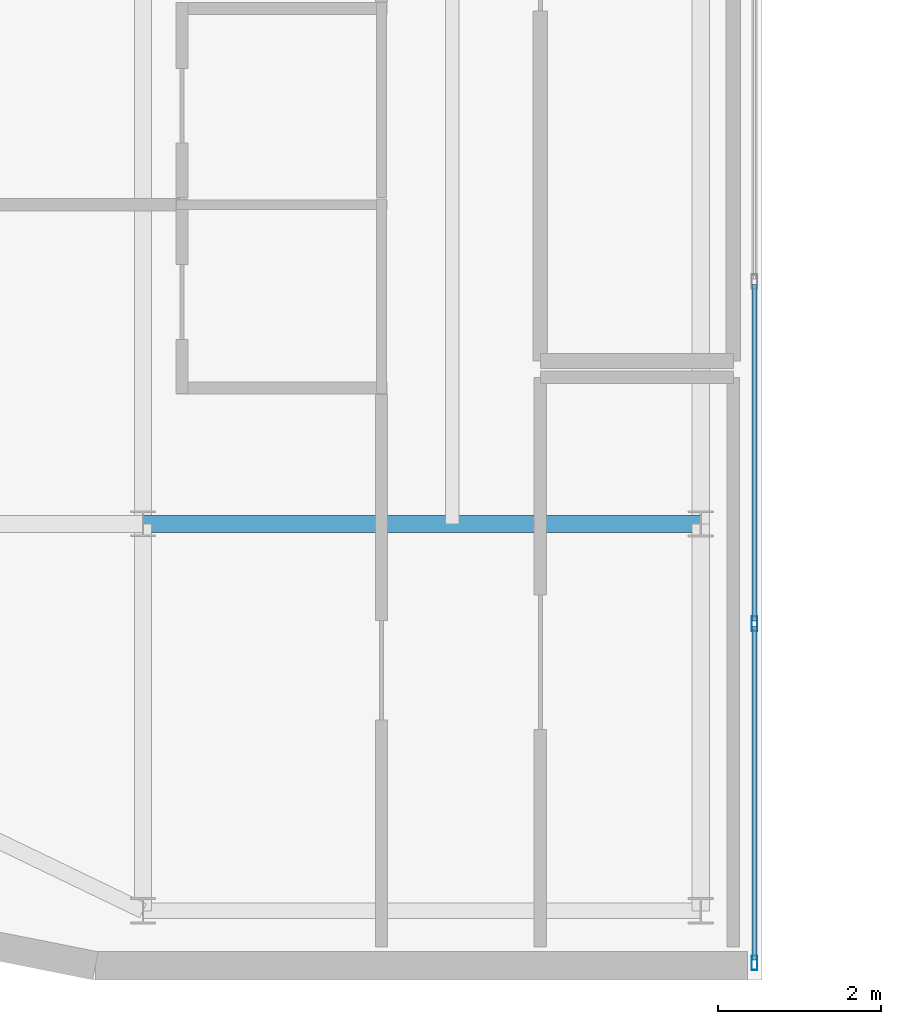
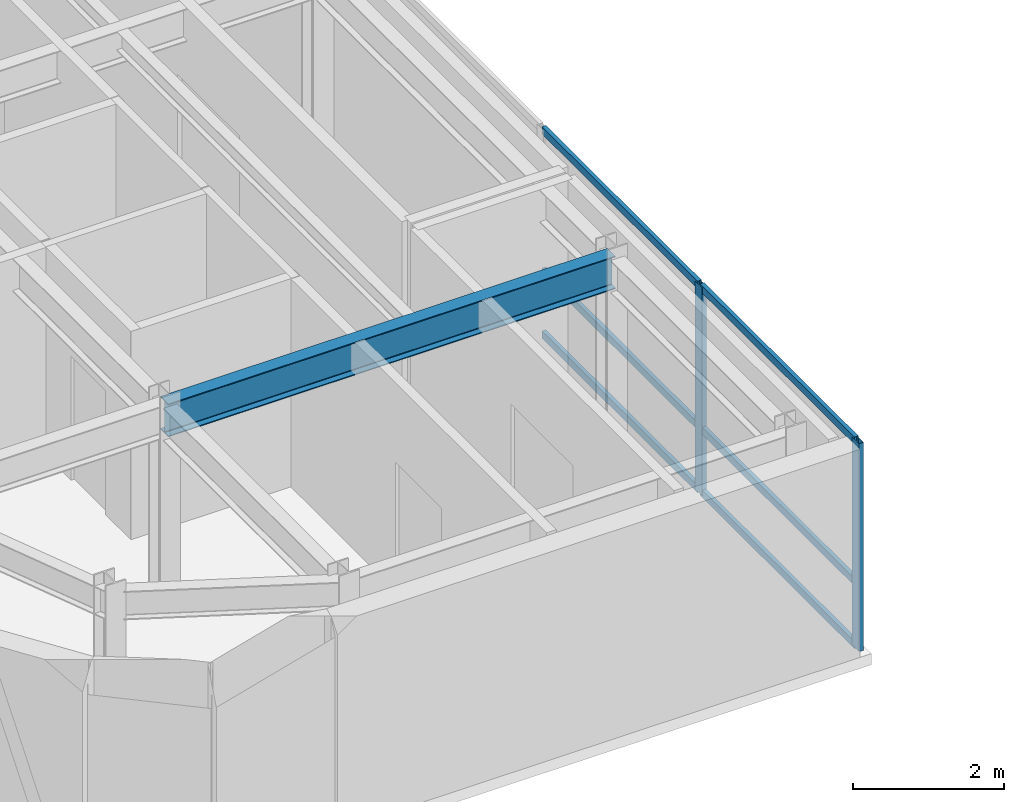
# One storey, part 4 of 18: 8 members, 1 beam, 1 element without a shape of its own.
"""IFC4 building model written with IfcOpenShell, lengths in metres."""

from ifc_helpers import new_model, si_unit, direction, frame, origin, origin_2d, place, context, subcontext, project, spatial, hollow_rectangle, i_section, extrude, source, transform, mapped, material, layer, layer_set, material_profile, profile_set, type_object, type_shapes, element, aggregate, save


model = new_model("IFC4")

# Units and contexts
model_context = context("Model", 3, precision=1e-05, world=origin(), true_north=direction((0.0, 1.0)))
body_context = subcontext(model_context, "Body", "Model", "MODEL_VIEW")
ifc_project = project(units=[si_unit("LENGTHUNIT", "METRE"), si_unit("AREAUNIT", "SQUARE_METRE"), si_unit("VOLUMEUNIT", "CUBIC_METRE"), si_unit("PLANEANGLEUNIT", "RADIAN"), si_unit("MASSUNIT", "GRAM", prefix="KILO")], contexts=[model_context])

# Site, building, storey
site_placement = place(None, origin())
site = spatial("IfcSite", under=ifc_project, at=site_placement, CompositionType="ELEMENT")
building_placement = place(site_placement, origin())
building = spatial("IfcBuilding", under=site, at=building_placement, Name="Tolvann Quenvar Hotel", CompositionType="ELEMENT")
storey_placement = place(building_placement, frame((0.0, 0.0, 259.39990234375)))
storey = spatial("IfcBuildingStorey", under=building, at=storey_placement, Name="L69", CompositionType="ELEMENT", Elevation=259.39990234375)

# Beam
ifc_material_1 = material(Name="Steel Grade 350", Category="steel")
ifc_material_profile_1 = material_profile(ifc_material_1, i_section(OverallWidth=0.208984375, OverallDepth=0.532958984375, WebThickness=0.01025390625, FlangeThickness=0.015625, FilletRadius=0.013916015625, at=origin_2d()), Name="530UB92")
ifc_profile_set_1 = profile_set([ifc_material_profile_1], Name="Steel Grade 350")
beam_type = type_object("IfcBeamType", Name="BM_GIRD_530UB92", PredefinedType="BEAM", material=ifc_profile_set_1)
shared_shape_1 = source(origin(), body_context, "Body", "SweptSolid", [
    extrude(i_section(OverallWidth=0.208984375, OverallDepth=0.532958984375, WebThickness=0.01025390625, FlangeThickness=0.015625, FilletRadius=0.013916015625, at=origin_2d()), origin(), (0.0, 0.0, 1.0), 6.849853515625),
])
type_shapes(beam_type, [shared_shape_1])
beam_placement = place(storey_placement, frame((7.60009765625, 8.199951171875, 3.103515625), z_axis=(1.0, 0.0, 0.0), x_axis=(0.0, 1.0, 0.0)))
element("IfcBeam", 1, at=beam_placement, inside=storey, type_object=beam_type, Name="BM-L69-EW-3-C3-D3", PredefinedType="BEAM", context=body_context, shape_type="MappedRepresentation", body=[
    mapped(shared_shape_1, transform((0.0, 0.0, 0.0), x_axis=(1.0, 0.0, 0.0), y_axis=(0.0, 1.0, 0.0), z_axis=(0.0, 0.0, 1.0), scale=1.0)),
])

# Curtain wall, members
ifc_material_2 = material(Name="Thermally broken anodised architectural aluminium 6063-T6 and laminated low-E glass", Category="aluminium")
ifc_layer = layer(ifc_material_2, 0.179931640625)
ifc_layer_set = layer_set([ifc_layer], Name="Thermally broken anodised architectural aluminium 6063-T6 and laminated low-E glass")
curtain_wall_type = type_object("IfcCurtainWallType", Name="CW_SYS_PORTAL_05", PredefinedType="USERDEFINED", material=ifc_layer_set)
curtain_wall_placement = place(storey_placement, origin())
curtain_wall = element("IfcCurtainWall", 2, at=curtain_wall_placement, inside=storey, type_object=curtain_wall_type, Name="Curtain Wall CW-PORTAL-05 (CWR-L69-E05)", ObjectType="UNITISED CURTAIN WALL", PredefinedType="USERDEFINED")
ifc_material_3 = material(Name="Anodised architectural aluminium 6063-T6 framing", Category="aluminium")
ifc_material_profile_2 = material_profile(ifc_material_3, hollow_rectangle(XDim=0.070068359375, YDim=0.179931640625, WallThickness=0.00390625, at=origin_2d()), Name="180x70x4RHS")
ifc_profile_set_2 = profile_set([ifc_material_profile_2], Name="Anodised architectural aluminium 6063-T6 framing")
member_type_1 = type_object("IfcMemberType", Name="CW_MULL_180x70", PredefinedType="MULLION", material=ifc_profile_set_2)
shared_shape_2 = source(origin(), body_context, "Body", "SweptSolid", [
    extrude(hollow_rectangle(XDim=0.070068359375, YDim=0.179931640625, WallThickness=0.00390625, at=origin_2d()), origin(), (0.0, 0.0, 1.0), 3.3701171875),
])
type_shapes(member_type_1, [shared_shape_2])
member_1_placement = place(storey_placement, frame((15.110107421875, 2.81005859375, 0.0), z_axis=(0.0, 0.0, 1.0), x_axis=(-1.0, 0.0, 0.0)))
member_1 = element("IfcMember", 3, at=member_1_placement, type_object=member_type_1, Name="CW-PORTAL-05 mullion 1", PredefinedType="MULLION", context=body_context, shape_type="MappedRepresentation", body=[
    mapped(shared_shape_2, transform((0.0, 0.0, 0.0), x_axis=(1.0, 0.0, 0.0), y_axis=(0.0, 1.0, 0.0), z_axis=(0.0, 0.0, 1.0), scale=1.0)),
])
member_2_placement = place(storey_placement, frame((15.110107421875, 6.97509765625, 0.0), z_axis=(0.0, 0.0, 1.0), x_axis=(-1.0, 0.0, 0.0)))
member_2 = element("IfcMember", 4, at=member_2_placement, type_object=member_type_1, Name="CW-PORTAL-05 mullion 2", PredefinedType="MULLION", context=body_context, shape_type="MappedRepresentation", body=[
    mapped(shared_shape_2, transform((0.0, 0.0, 0.0), x_axis=(1.0, 0.0, 0.0), y_axis=(0.0, 1.0, 0.0), z_axis=(0.0, 0.0, 1.0), scale=1.0)),
])
ifc_material_profile_3 = material_profile(ifc_material_3, hollow_rectangle(XDim=0.06005859375, YDim=0.1201171875, WallThickness=0.00341796875, at=origin_2d()), Name="120x60x3.5RHS")
ifc_profile_set_3 = profile_set([ifc_material_profile_3], Name="Anodised architectural aluminium 6063-T6 framing")
member_type_2 = type_object("IfcMemberType", Name="CW_TRAN_120x60", PredefinedType="USERDEFINED", material=ifc_profile_set_3)
shared_shape_3 = source(origin(), body_context, "Body", "SweptSolid", [
    extrude(hollow_rectangle(XDim=0.06005859375, YDim=0.1201171875, WallThickness=0.00341796875, at=origin_2d()), origin(), (0.0, 0.0, 1.0), 4.094970703125),
])
member_3_placement = place(storey_placement, frame((15.110107421875, 2.844970703125, 0.030029296875), z_axis=(0.0, 1.0, 0.0), x_axis=(-1.0, 0.0, 0.0)))
member_3 = element("IfcMember", 5, at=member_3_placement, type_object=member_type_2, Name="CW-PORTAL-05 transom 1.1", ObjectType="TRANSOM", PredefinedType="USERDEFINED", context=body_context, shape_type="MappedRepresentation", body=[
    mapped(shared_shape_3, transform((0.0, 0.0, 0.0), x_axis=(1.0, 0.0, 0.0), y_axis=(0.0, 1.0, 0.0), z_axis=(0.0, 0.0, 1.0), scale=1.0)),
])
member_4_placement = place(storey_placement, frame((15.110107421875, 2.844970703125, 1.050048828125), z_axis=(0.0, 1.0, 0.0), x_axis=(-1.0, 0.0, 0.0)))
member_4 = element("IfcMember", 6, at=member_4_placement, type_object=member_type_2, Name="CW-PORTAL-05 transom 1.2", ObjectType="TRANSOM", PredefinedType="USERDEFINED", context=body_context, shape_type="MappedRepresentation", body=[
    mapped(shared_shape_3, transform((0.0, 0.0, 0.0), x_axis=(1.0, 0.0, 0.0), y_axis=(0.0, 1.0, 0.0), z_axis=(0.0, 0.0, 1.0), scale=1.0)),
])
member_5_placement = place(storey_placement, frame((15.110107421875, 2.844970703125, 3.340087890625), z_axis=(0.0, 1.0, 0.0), x_axis=(-1.0, 0.0, 0.0)))
member_5 = element("IfcMember", 7, at=member_5_placement, type_object=member_type_2, Name="CW-PORTAL-05 transom 1.3", ObjectType="TRANSOM", PredefinedType="USERDEFINED", context=body_context, shape_type="MappedRepresentation", body=[
    mapped(shared_shape_3, transform((0.0, 0.0, 0.0), x_axis=(1.0, 0.0, 0.0), y_axis=(0.0, 1.0, 0.0), z_axis=(0.0, 0.0, 1.0), scale=1.0)),
])
shared_shape_4 = source(origin(), body_context, "Body", "SweptSolid", [
    extrude(hollow_rectangle(XDim=0.06005859375, YDim=0.1201171875, WallThickness=0.00341796875, at=origin_2d()), origin(), (0.0, 0.0, 1.0), 4.1298828125),
])
type_shapes(member_type_2, [shared_shape_3, shared_shape_4])
member_6_placement = place(storey_placement, frame((15.110107421875, 7.010009765625, 0.030029296875), z_axis=(0.0, 1.0, 0.0), x_axis=(-1.0, 0.0, 0.0)))
member_6 = element("IfcMember", 8, at=member_6_placement, type_object=member_type_2, Name="CW-PORTAL-05 transom 2.1", ObjectType="TRANSOM", PredefinedType="USERDEFINED", context=body_context, shape_type="MappedRepresentation", body=[
    mapped(shared_shape_4, transform((0.0, 0.0, 0.0), x_axis=(1.0, 0.0, 0.0), y_axis=(0.0, 1.0, 0.0), z_axis=(0.0, 0.0, 1.0), scale=1.0)),
])
member_7_placement = place(storey_placement, frame((15.110107421875, 7.010009765625, 1.050048828125), z_axis=(0.0, 1.0, 0.0), x_axis=(-1.0, 0.0, 0.0)))
member_7 = element("IfcMember", 9, at=member_7_placement, type_object=member_type_2, Name="CW-PORTAL-05 transom 2.2", ObjectType="TRANSOM", PredefinedType="USERDEFINED", context=body_context, shape_type="MappedRepresentation", body=[
    mapped(shared_shape_4, transform((0.0, 0.0, 0.0), x_axis=(1.0, 0.0, 0.0), y_axis=(0.0, 1.0, 0.0), z_axis=(0.0, 0.0, 1.0), scale=1.0)),
])
member_8_placement = place(storey_placement, frame((15.110107421875, 7.010009765625, 3.340087890625), z_axis=(0.0, 1.0, 0.0), x_axis=(-1.0, 0.0, 0.0)))
member_8 = element("IfcMember", 10, at=member_8_placement, type_object=member_type_2, Name="CW-PORTAL-05 transom 2.3", ObjectType="TRANSOM", PredefinedType="USERDEFINED", context=body_context, shape_type="MappedRepresentation", body=[
    mapped(shared_shape_4, transform((0.0, 0.0, 0.0), x_axis=(1.0, 0.0, 0.0), y_axis=(0.0, 1.0, 0.0), z_axis=(0.0, 0.0, 1.0), scale=1.0)),
])
aggregate(curtain_wall, [member_1, member_2, member_3, member_4, member_5, member_6, member_7, member_8])

save(model, "model.ifc")
